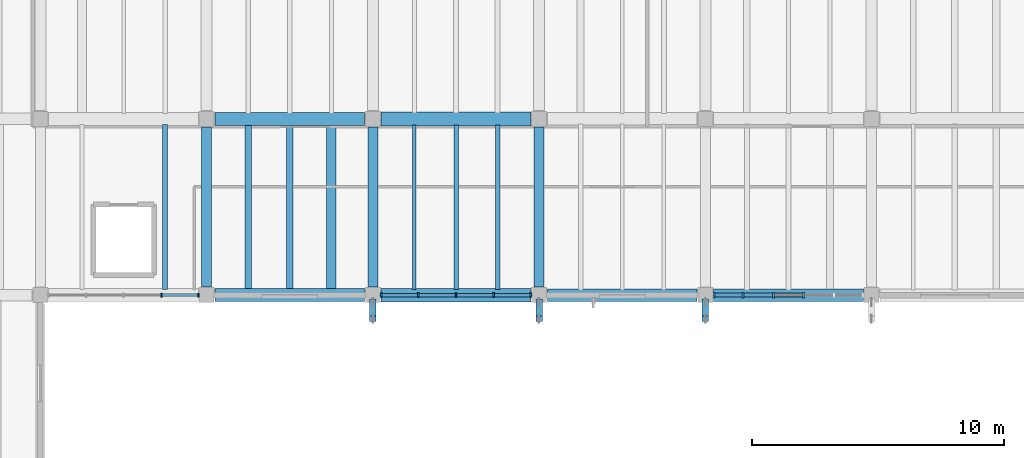
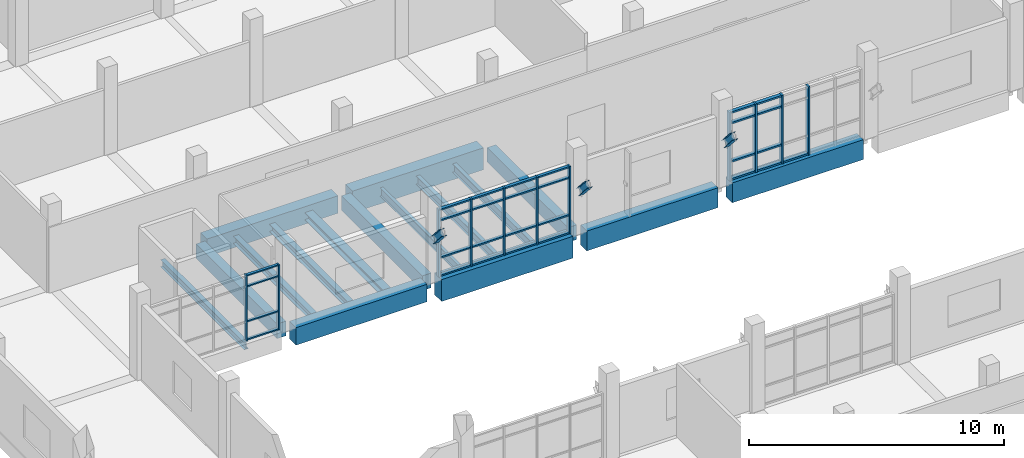
# One storey, part 24 of 68: 43 members, 16 beams, 3 elements without a shape of their own.
"""IFC4 building model written with IfcOpenShell, lengths in metres."""

import ifcopenshell
import ifcopenshell.guid

model = None  # the IFC model being written
_history = None  # IfcOwnerHistory: only IFC2X3 demands one
_inside = {}  # id of a spatial element -> (the spatial element, [elements in it])
_under = {}  # id of a project, library or spatial element -> (it, [spatial elements below it])
_declared = {}  # id of a project -> (the project, [libraries it declares])
_typed = {}  # id of a type object -> (the type object, [elements of that type])
_made_of = {}  # id of a material, layer set ... -> (it, [elements and type objects made of it])


def new_model(schema):
    """Start an empty IFC model of exactly this schema.

    Asked for "IFC4X3", IfcOpenShell would pick the latest addendum, in which some entities
    have other attributes; the version numbers below select the first issue.
    IFC2X3 requires an IfcOwnerHistory on every rooted entity: one is made here for all.
    """
    global model, _history
    if schema == "IFC4X3":
        model = ifcopenshell.file(schema_version=(4, 3, 0, 0))
    else:
        model = ifcopenshell.file(schema=schema)
    _inside.clear()
    _under.clear()
    _declared.clear()
    _typed.clear()
    _made_of.clear()
    _history = None
    if model.schema == "IFC2X3":
        org = make("IfcOrganization", Name="unknown")
        user = make(
            "IfcPersonAndOrganization",
            ThePerson=make("IfcPerson", FamilyName="unknown"),
            TheOrganization=org,
        )
        app = make(
            "IfcApplication",
            ApplicationDeveloper=org,
            Version="unknown",
            ApplicationFullName="unknown",
            ApplicationIdentifier="unknown",
        )
        _history = make(
            "IfcOwnerHistory",
            OwningUser=user,
            OwningApplication=app,
            ChangeAction="ADDED",
            CreationDate=0,
        )
    return model


def make(cls, **values):
    """One entity of the class cls with the attributes given. An attribute that is None is left unset."""
    return model.create_entity(
        cls, **{name: value for name, value in values.items() if value is not None}
    )


def rooted(cls, **values):
    """An entity with a GlobalId (a new one), such as an element, a storey or a relation."""
    return make(cls, GlobalId=ifcopenshell.guid.new(), OwnerHistory=_history, **values)


def si_unit(unit_type, name, prefix=None):
    """IfcSIUnit, for example si_unit("LENGTHUNIT", "METRE", prefix="MILLI")."""
    return make("IfcSIUnit", UnitType=unit_type, Prefix=prefix, Name=name)


def assignment(units):
    """IfcUnitAssignment: the units of a project."""
    return None if units is None else make("IfcUnitAssignment", Units=units)


def point(xyz):
    """IfcCartesianPoint."""
    return None if xyz is None else make("IfcCartesianPoint", Coordinates=xyz)


def direction(xyz):
    """IfcDirection."""
    return None if xyz is None else make("IfcDirection", DirectionRatios=xyz)


def frame(location, z_axis=None, x_axis=None):
    """IfcAxis2Placement3D, a coordinate frame: its origin and axes. An axis left out is left unset."""
    return make(
        "IfcAxis2Placement3D",
        Location=point(location),
        Axis=direction(z_axis),
        RefDirection=direction(x_axis),
    )


def frame_2d(location, x_axis=None):
    """IfcAxis2Placement2D, a coordinate frame in the plane: its origin and x axis."""
    return make(
        "IfcAxis2Placement2D", Location=point(location), RefDirection=direction(x_axis)
    )


def origin():
    """The frame at (0, 0, 0) with its axes left unset."""
    return frame((0.0, 0.0, 0.0))


def origin_2d():
    """The frame at (0, 0) in the plane with its x axis left unset."""
    return frame_2d((0.0, 0.0))


def place(relative_to, where):
    """IfcLocalPlacement: puts the frame where relative to a parent placement (None: the world)."""
    return make(
        "IfcLocalPlacement", PlacementRelTo=relative_to, RelativePlacement=where
    )


def context(
    kind, dimensions, precision=None, world=None, true_north=None, identifier=None
):
    """IfcGeometricRepresentationContext, for example the 3D "Model" context."""
    return make(
        "IfcGeometricRepresentationContext",
        ContextIdentifier=identifier,
        ContextType=kind,
        CoordinateSpaceDimension=dimensions,
        Precision=precision,
        WorldCoordinateSystem=world,
        TrueNorth=true_north,
    )


def subcontext(parent, identifier, kind, view, scale=None):
    """IfcGeometricRepresentationSubContext, for example "Body" below "Model"."""
    return make(
        "IfcGeometricRepresentationSubContext",
        ContextIdentifier=identifier,
        ContextType=kind,
        ParentContext=parent,
        TargetScale=scale,
        TargetView=view,
    )


def project(units=None, contexts=None):
    """IfcProject with its units and contexts."""
    return rooted(
        "IfcProject",
        Name="project",
        RepresentationContexts=contexts,
        UnitsInContext=assignment(units),
    )


def spatial(cls, under=None, at=None, **own):
    """A site, building, storey or space (cls), placed at a placement, below another one or the project."""
    s = rooted(cls, ObjectPlacement=at, **own)
    if under is not None:
        _under.setdefault(under.id(), (under, []))[1].append(s)
    return s


def profile(cls, at=None, kind="AREA", **sizes):
    """A parametric profile (cls). Its sizes go by their IFC names, for example OverallWidth=200.0."""
    return make(cls, ProfileType=kind, Position=at, **sizes)


def rectangle(**sizes):
    """IfcRectangleProfileDef."""
    return profile("IfcRectangleProfileDef", **sizes)


def i_section(**sizes):
    """IfcIShapeProfileDef."""
    return profile("IfcIShapeProfileDef", **sizes)


def extrude(swept, where, along, depth):
    """IfcExtrudedAreaSolid: the profile swept, set in the frame where, extruded along a direction by depth."""
    return make(
        "IfcExtrudedAreaSolid",
        SweptArea=swept,
        Position=where,
        ExtrudedDirection=direction(along),
        Depth=depth,
    )


def shape(context_of_items, identifier, shape_type, items):
    """IfcShapeRepresentation: the items that make up one representation, for example the "Body"."""
    return make(
        "IfcShapeRepresentation",
        ContextOfItems=context_of_items,
        RepresentationIdentifier=identifier,
        RepresentationType=shape_type,
        Items=items,
    )


def material(Name=None, Category=None):
    """IfcMaterial."""
    return make("IfcMaterial", Name=Name, Category=Category)


def material_profile(
    of_material, cross_section, Name=None, Category=None, Priority=None
):
    """IfcMaterialProfile: a cross section and its material."""
    return make(
        "IfcMaterialProfile",
        Name=Name,
        Material=of_material,
        Profile=cross_section,
        Priority=Priority,
        Category=Category,
    )


def profile_set(profiles, Name=None, composite=None):
    """IfcMaterialProfileSet."""
    return make(
        "IfcMaterialProfileSet",
        Name=Name,
        MaterialProfiles=profiles,
        CompositeProfile=composite,
    )


def made_of(thing, what):
    """Note that an element or type object is made of a material, layer set ...; save() writes the relation."""
    if what is not None:
        _made_of.setdefault(what.id(), (what, []))[1].append(thing)
    return thing


def type_object(cls, material=None, **own):
    """A type object (cls), such as IfcWallType, which elements share."""
    return made_of(rooted(cls, **own), material)


def element(
    cls,
    number,
    at=None,
    inside=None,
    cuts=None,
    type_object=None,
    material=None,
    context=None,
    identifier="Body",
    shape_type=None,
    held_by="IfcProductDefinitionShape",
    body=None,
    shapes=None,
    **own,
):
    """One element of the class cls, such as IfcWall. Its Tag is "e" and its number.

    at: its placement. inside: the storey or other place that contains it. cuts: it is an
    opening in that element (IfcRelVoidsElement). A single representation is given by context,
    identifier, shape_type and body (its items); several are given by shapes. held_by: the class
    of the entity that holds the representations. save() writes the other relations.
    """
    e = rooted(cls, Tag="e%d" % number, ObjectPlacement=at, **own)
    if body is not None:
        shapes = [shape(context, identifier, shape_type, body)]
    if shapes is not None:
        e.Representation = make(held_by, Representations=shapes)
    if inside is not None:
        _inside.setdefault(inside.id(), (inside, []))[1].append(e)
    if cuts is not None:
        rooted(
            "IfcRelVoidsElement", RelatingBuildingElement=cuts, RelatedOpeningElement=e
        )
    if type_object is not None:
        _typed.setdefault(type_object.id(), (type_object, []))[1].append(e)
    return made_of(e, material)


def aggregate(whole, parts):
    """IfcRelAggregates: a whole, such as a stair, and the parts it consists of."""
    return rooted("IfcRelAggregates", RelatingObject=whole, RelatedObjects=parts)


def save(model, path):
    """Write the relations noted so far, then the file.

    IfcRelAggregates (storeys below a building ...), IfcRelContainedInSpatialStructure (elements
    in a storey), IfcRelDefinesByType, IfcRelAssociatesMaterial and IfcRelDeclares: one each for
    every whole, place, type object, material and project.
    """
    for whole, parts in _under.values():
        aggregate(whole, parts)
    for where, things in _inside.values():
        rooted(
            "IfcRelContainedInSpatialStructure",
            RelatedElements=things,
            RelatingStructure=where,
        )
    for kind, things in _typed.values():
        rooted("IfcRelDefinesByType", RelatedObjects=things, RelatingType=kind)
    for what, things in _made_of.values():
        rooted("IfcRelAssociatesMaterial", RelatedObjects=things, RelatingMaterial=what)
    for by, libraries in _declared.values():
        rooted("IfcRelDeclares", RelatingContext=by, RelatedDefinitions=libraries)
    model.write(path)


model = new_model("IFC4")

# Units and contexts
model_context = context("Model", 3, precision=1e-05, world=origin(), true_north=direction((0.0, 1.0)))
body_context = subcontext(model_context, "Body", "Model", "MODEL_VIEW")
ifc_project = project(units=[si_unit("LENGTHUNIT", "METRE"), si_unit("AREAUNIT", "SQUARE_METRE"), si_unit("VOLUMEUNIT", "CUBIC_METRE"), si_unit("PLANEANGLEUNIT", "RADIAN"), si_unit("MASSUNIT", "GRAM", prefix="KILO")], contexts=[model_context])

# Site, building, storey
site_placement = place(None, origin())
site = spatial("IfcSite", under=ifc_project, at=site_placement, CompositionType="ELEMENT")
building_placement = place(site_placement, origin())
building = spatial("IfcBuilding", under=site, at=building_placement, Name="Ciguamira Faculty of Natural Sciences", CompositionType="ELEMENT")
storey_placement = place(building_placement, frame((0.0, 0.0, 4.199951171875)))
storey = spatial("IfcBuildingStorey", under=building, at=storey_placement, Name="L01", CompositionType="ELEMENT", Elevation=4.199951171875)

# Curtain wall, members
ifc_material_1 = material(Name="Anodized aluminium curtain wall", Category="aluminium")
curtain_wall_type_1 = type_object("IfcCurtainWallType", Name="CurtainWall_CW-04", PredefinedType="USERDEFINED", material=ifc_material_1)
curtain_wall_1_placement = place(storey_placement, origin())
curtain_wall_1 = element("IfcCurtainWall", 1, at=curtain_wall_1_placement, inside=storey, type_object=curtain_wall_type_1, Name="L01 unitised curtain wall 0040", ObjectType="UNITISED CURTAIN WALL", PredefinedType="USERDEFINED")
ifc_material_2 = material(Name="Anodized aluminium mullion", Category="aluminium")
ifc_material_profile_1 = material_profile(ifc_material_2, rectangle(XDim=0.06005859375, YDim=0.159912109375, at=origin_2d()), Name="ALU-MUL-60X160")
ifc_profile_set_1 = profile_set([ifc_material_profile_1], Name="Anodized aluminium mullion")
member_type_1 = type_object("IfcMemberType", Name="CWMullion_CWM-01", PredefinedType="MULLION", material=ifc_profile_set_1)
member_1_placement = place(storey_placement, frame((68.699951171875, 73.0, 0.0), z_axis=(0.0, 0.0, 1.0), x_axis=(1.0, 0.0, 0.0)))
member_1 = element("IfcMember", 2, at=member_1_placement, type_object=member_type_1, Name="CW-04 mullion 4", PredefinedType="MULLION", context=body_context, shape_type="SweptSolid", body=[
    extrude(rectangle(XDim=0.06005859375, YDim=0.159912109375, at=origin_2d()), origin(), (0.0, 0.0, 1.0), 3.135009765625),
])
member_2_placement = place(storey_placement, frame((70.169921875, 73.0, 0.0), z_axis=(0.0, 0.0, 1.0), x_axis=(1.0, 0.0, 0.0)))
member_2 = element("IfcMember", 3, at=member_2_placement, type_object=member_type_1, Name="CW-04 mullion 5", PredefinedType="MULLION", context=body_context, shape_type="SweptSolid", body=[
    extrude(rectangle(XDim=0.06005859375, YDim=0.159912109375, at=origin_2d()), origin(), (0.0, 0.0, 1.0), 3.135009765625),
])

curtain_wall_type_2 = type_object("IfcCurtainWallType", Name="CurtainWall_CW-05", PredefinedType="USERDEFINED", material=ifc_material_1)
curtain_wall_2_placement = place(storey_placement, origin())
curtain_wall_2 = element("IfcCurtainWall", 4, at=curtain_wall_2_placement, inside=storey, type_object=curtain_wall_type_2, Name="L01 unitised curtain wall 0041", ObjectType="UNITISED CURTAIN WALL", PredefinedType="USERDEFINED")
ifc_material_profile_2 = material_profile(ifc_material_2, rectangle(XDim=0.070068359375, YDim=0.179931640625, at=origin_2d()), Name="ALU-MUL-70X180")
ifc_profile_set_2 = profile_set([ifc_material_profile_2], Name="Anodized aluminium mullion")
member_type_2 = type_object("IfcMemberType", Name="CWMullion_CWM-02", PredefinedType="MULLION", material=ifc_profile_set_2)
member_3_placement = place(storey_placement, frame((77.43505859375, 73.0, 0.0), z_axis=(0.0, 0.0, 1.0), x_axis=(1.0, 0.0, 0.0)))
member_3 = element("IfcMember", 5, at=member_3_placement, type_object=member_type_2, Name="CW-05 mullion 1", PredefinedType="MULLION", context=body_context, shape_type="SweptSolid", body=[
    extrude(rectangle(XDim=0.070068359375, YDim=0.179931640625, at=origin_2d()), origin(), (0.0, 0.0, 1.0), 3.235107421875),
])
member_4_placement = place(storey_placement, frame((78.89990234375, 73.0, 0.0), z_axis=(0.0, 0.0, 1.0), x_axis=(1.0, 0.0, 0.0)))
member_4 = element("IfcMember", 6, at=member_4_placement, type_object=member_type_2, Name="CW-05 mullion 2", PredefinedType="MULLION", context=body_context, shape_type="SweptSolid", body=[
    extrude(rectangle(XDim=0.070068359375, YDim=0.179931640625, at=origin_2d()), origin(), (0.0, 0.0, 1.0), 3.235107421875),
])
member_5_placement = place(storey_placement, frame((80.39990234375, 73.0, 0.0), z_axis=(0.0, 0.0, 1.0), x_axis=(1.0, 0.0, 0.0)))
member_5 = element("IfcMember", 7, at=member_5_placement, type_object=member_type_2, Name="CW-05 mullion 3", PredefinedType="MULLION", context=body_context, shape_type="SweptSolid", body=[
    extrude(rectangle(XDim=0.070068359375, YDim=0.179931640625, at=origin_2d()), origin(), (0.0, 0.0, 1.0), 3.235107421875),
])
member_6_placement = place(storey_placement, frame((81.89990234375, 73.0, 0.0), z_axis=(0.0, 0.0, 1.0), x_axis=(1.0, 0.0, 0.0)))
member_6 = element("IfcMember", 8, at=member_6_placement, type_object=member_type_2, Name="CW-05 mullion 4", PredefinedType="MULLION", context=body_context, shape_type="SweptSolid", body=[
    extrude(rectangle(XDim=0.070068359375, YDim=0.179931640625, at=origin_2d()), origin(), (0.0, 0.0, 1.0), 3.235107421875),
])
member_7_placement = place(storey_placement, frame((83.364990234375, 73.0, 0.0), z_axis=(0.0, 0.0, 1.0), x_axis=(1.0, 0.0, 0.0)))
member_7 = element("IfcMember", 9, at=member_7_placement, type_object=member_type_2, Name="CW-05 mullion 5", PredefinedType="MULLION", context=body_context, shape_type="SweptSolid", body=[
    extrude(rectangle(XDim=0.070068359375, YDim=0.179931640625, at=origin_2d()), origin(), (0.0, 0.0, 1.0), 3.235107421875),
])

curtain_wall_type_3 = type_object("IfcCurtainWallType", Name="CurtainWall_CW-06", PredefinedType="USERDEFINED", material=ifc_material_1)
curtain_wall_3_placement = place(storey_placement, origin())
curtain_wall_3 = element("IfcCurtainWall", 10, at=curtain_wall_3_placement, inside=storey, type_object=curtain_wall_type_3, Name="L01 unitised curtain wall 0042", ObjectType="UNITISED CURTAIN WALL", PredefinedType="USERDEFINED")
ifc_material_profile_3 = material_profile(ifc_material_2, rectangle(XDim=0.080078125, YDim=0.219970703125, at=origin_2d()), Name="ALU-MUL-80X220")
ifc_profile_set_3 = profile_set([ifc_material_profile_3], Name="Anodized aluminium mullion")
member_type_3 = type_object("IfcMemberType", Name="CWMullion_CWM-03", PredefinedType="MULLION", material=ifc_profile_set_3)
member_8_placement = place(storey_placement, frame((90.639892578125, 73.0, 0.0), z_axis=(0.0, 0.0, 1.0), x_axis=(1.0, 0.0, 0.0)))
member_8 = element("IfcMember", 11, at=member_8_placement, type_object=member_type_3, Name="CW-06 mullion 1", PredefinedType="MULLION", context=body_context, shape_type="SweptSolid", body=[
    extrude(rectangle(XDim=0.080078125, YDim=0.219970703125, at=origin_2d()), origin(), (0.0, 0.0, 1.0), 3.28515625),
])
member_9_placement = place(storey_placement, frame((91.800048828125, 73.0, 0.0), z_axis=(0.0, 0.0, 1.0), x_axis=(1.0, 0.0, 0.0)))
member_9 = element("IfcMember", 12, at=member_9_placement, type_object=member_type_3, Name="CW-06 mullion 2", PredefinedType="MULLION", context=body_context, shape_type="SweptSolid", body=[
    extrude(rectangle(XDim=0.080078125, YDim=0.219970703125, at=origin_2d()), origin(), (0.0, 0.0, 1.0), 3.28515625),
])
member_10_placement = place(storey_placement, frame((93.0, 73.0, 0.0), z_axis=(0.0, 0.0, 1.0), x_axis=(1.0, 0.0, 0.0)))
member_10 = element("IfcMember", 13, at=member_10_placement, type_object=member_type_3, Name="CW-06 mullion 3", PredefinedType="MULLION", context=body_context, shape_type="SweptSolid", body=[
    extrude(rectangle(XDim=0.080078125, YDim=0.219970703125, at=origin_2d()), origin(), (0.0, 0.0, 1.0), 3.28515625),
])
member_11_placement = place(storey_placement, frame((94.199951171875, 73.0, 0.0), z_axis=(0.0, 0.0, 1.0), x_axis=(1.0, 0.0, 0.0)))
member_11 = element("IfcMember", 14, at=member_11_placement, type_object=member_type_3, Name="CW-06 mullion 4", PredefinedType="MULLION", context=body_context, shape_type="SweptSolid", body=[
    extrude(rectangle(XDim=0.080078125, YDim=0.219970703125, at=origin_2d()), origin(), (0.0, 0.0, 1.0), 3.28515625),
])

# Member
ifc_material_3 = material(Name="Anodized aluminium transom", Category="aluminium")
ifc_material_profile_4 = material_profile(ifc_material_3, rectangle(XDim=0.06005859375, YDim=0.1201171875, at=origin_2d()), Name="ALU-TRN-60X120")
ifc_profile_set_4 = profile_set([ifc_material_profile_4], Name="Anodized aluminium transom")
member_type_4 = type_object("IfcMemberType", Name="CWTransom_CWT-01", PredefinedType="USERDEFINED", material=ifc_profile_set_4)
member_12_placement = place(storey_placement, frame((68.72998046875, 73.0, 0.030029296875), z_axis=(1.0, 0.0, 0.0), x_axis=(0.0, 0.0, 1.0)))
member_12 = element("IfcMember", 15, at=member_12_placement, type_object=member_type_4, Name="CW-04 transom 4.1", ObjectType="TRANSOM", PredefinedType="USERDEFINED", context=body_context, shape_type="SweptSolid", body=[
    extrude(rectangle(XDim=0.06005859375, YDim=0.1201171875, at=origin_2d()), origin(), (0.0, 0.0, 1.0), 1.409912109375),
])

member_13_placement = place(storey_placement, frame((68.72998046875, 73.0, 0.900146484375), z_axis=(1.0, 0.0, 0.0), x_axis=(0.0, 0.0, 1.0)))
member_13 = element("IfcMember", 16, at=member_13_placement, type_object=member_type_4, Name="CW-04 transom 4.2", ObjectType="TRANSOM", PredefinedType="USERDEFINED", context=body_context, shape_type="SweptSolid", body=[
    extrude(rectangle(XDim=0.06005859375, YDim=0.1201171875, at=origin_2d()), origin(), (0.0, 0.0, 1.0), 1.409912109375),
])

member_14_placement = place(storey_placement, frame((68.72998046875, 73.0, 2.5849609375), z_axis=(1.0, 0.0, 0.0), x_axis=(0.0, 0.0, 1.0)))
member_14 = element("IfcMember", 17, at=member_14_placement, type_object=member_type_4, Name="CW-04 transom 4.3", ObjectType="TRANSOM", PredefinedType="USERDEFINED", context=body_context, shape_type="SweptSolid", body=[
    extrude(rectangle(XDim=0.06005859375, YDim=0.1201171875, at=origin_2d()), origin(), (0.0, 0.0, 1.0), 1.409912109375),
])

member_15_placement = place(storey_placement, frame((68.72998046875, 73.0, 3.10498046875), z_axis=(1.0, 0.0, 0.0), x_axis=(0.0, 0.0, 1.0)))
member_15 = element("IfcMember", 18, at=member_15_placement, type_object=member_type_4, Name="CW-04 transom 4.4", ObjectType="TRANSOM", PredefinedType="USERDEFINED", context=body_context, shape_type="SweptSolid", body=[
    extrude(rectangle(XDim=0.06005859375, YDim=0.1201171875, at=origin_2d()), origin(), (0.0, 0.0, 1.0), 1.409912109375),
])

aggregate(curtain_wall_1, [member_1, member_2, member_12, member_13, member_14, member_15])

ifc_material_profile_5 = material_profile(ifc_material_3, rectangle(XDim=0.070068359375, YDim=0.139892578125, at=origin_2d()), Name="ALU-TRN-70X140")
ifc_profile_set_5 = profile_set([ifc_material_profile_5], Name="Anodized aluminium transom")
member_type_5 = type_object("IfcMemberType", Name="CWTransom_CWT-02", PredefinedType="USERDEFINED", material=ifc_profile_set_5)
member_16_placement = place(storey_placement, frame((77.469970703125, 73.0, 0.03515625), z_axis=(1.0, 0.0, 0.0), x_axis=(0.0, 0.0, 1.0)))
member_16 = element("IfcMember", 19, at=member_16_placement, type_object=member_type_5, Name="CW-05 transom 1.1", ObjectType="TRANSOM", PredefinedType="USERDEFINED", context=body_context, shape_type="SweptSolid", body=[
    extrude(rectangle(XDim=0.070068359375, YDim=0.139892578125, at=origin_2d()), origin(), (0.0, 0.0, 1.0), 1.39501953125),
])

member_17_placement = place(storey_placement, frame((77.469970703125, 73.0, 0.900146484375), z_axis=(1.0, 0.0, 0.0), x_axis=(0.0, 0.0, 1.0)))
member_17 = element("IfcMember", 20, at=member_17_placement, type_object=member_type_5, Name="CW-05 transom 1.2", ObjectType="TRANSOM", PredefinedType="USERDEFINED", context=body_context, shape_type="SweptSolid", body=[
    extrude(rectangle(XDim=0.070068359375, YDim=0.139892578125, at=origin_2d()), origin(), (0.0, 0.0, 1.0), 1.39501953125),
])

member_18_placement = place(storey_placement, frame((77.469970703125, 73.0, 2.68505859375), z_axis=(1.0, 0.0, 0.0), x_axis=(0.0, 0.0, 1.0)))
member_18 = element("IfcMember", 21, at=member_18_placement, type_object=member_type_5, Name="CW-05 transom 1.3", ObjectType="TRANSOM", PredefinedType="USERDEFINED", context=body_context, shape_type="SweptSolid", body=[
    extrude(rectangle(XDim=0.070068359375, YDim=0.139892578125, at=origin_2d()), origin(), (0.0, 0.0, 1.0), 1.39501953125),
])

member_19_placement = place(storey_placement, frame((77.469970703125, 73.0, 3.199951171875), z_axis=(1.0, 0.0, 0.0), x_axis=(0.0, 0.0, 1.0)))
member_19 = element("IfcMember", 22, at=member_19_placement, type_object=member_type_5, Name="CW-05 transom 1.4", ObjectType="TRANSOM", PredefinedType="USERDEFINED", context=body_context, shape_type="SweptSolid", body=[
    extrude(rectangle(XDim=0.070068359375, YDim=0.139892578125, at=origin_2d()), origin(), (0.0, 0.0, 1.0), 1.39501953125),
])

member_20_placement = place(storey_placement, frame((78.93505859375, 73.0, 0.03515625), z_axis=(1.0, 0.0, 0.0), x_axis=(0.0, 0.0, 1.0)))
member_20 = element("IfcMember", 23, at=member_20_placement, type_object=member_type_5, Name="CW-05 transom 2.1", ObjectType="TRANSOM", PredefinedType="USERDEFINED", context=body_context, shape_type="SweptSolid", body=[
    extrude(rectangle(XDim=0.070068359375, YDim=0.139892578125, at=origin_2d()), origin(), (0.0, 0.0, 1.0), 1.429931640625),
])

member_21_placement = place(storey_placement, frame((78.93505859375, 73.0, 0.900146484375), z_axis=(1.0, 0.0, 0.0), x_axis=(0.0, 0.0, 1.0)))
member_21 = element("IfcMember", 24, at=member_21_placement, type_object=member_type_5, Name="CW-05 transom 2.2", ObjectType="TRANSOM", PredefinedType="USERDEFINED", context=body_context, shape_type="SweptSolid", body=[
    extrude(rectangle(XDim=0.070068359375, YDim=0.139892578125, at=origin_2d()), origin(), (0.0, 0.0, 1.0), 1.429931640625),
])

member_22_placement = place(storey_placement, frame((78.93505859375, 73.0, 2.68505859375), z_axis=(1.0, 0.0, 0.0), x_axis=(0.0, 0.0, 1.0)))
member_22 = element("IfcMember", 25, at=member_22_placement, type_object=member_type_5, Name="CW-05 transom 2.3", ObjectType="TRANSOM", PredefinedType="USERDEFINED", context=body_context, shape_type="SweptSolid", body=[
    extrude(rectangle(XDim=0.070068359375, YDim=0.139892578125, at=origin_2d()), origin(), (0.0, 0.0, 1.0), 1.429931640625),
])

member_23_placement = place(storey_placement, frame((78.93505859375, 73.0, 3.199951171875), z_axis=(1.0, 0.0, 0.0), x_axis=(0.0, 0.0, 1.0)))
member_23 = element("IfcMember", 26, at=member_23_placement, type_object=member_type_5, Name="CW-05 transom 2.4", ObjectType="TRANSOM", PredefinedType="USERDEFINED", context=body_context, shape_type="SweptSolid", body=[
    extrude(rectangle(XDim=0.070068359375, YDim=0.139892578125, at=origin_2d()), origin(), (0.0, 0.0, 1.0), 1.429931640625),
])

member_24_placement = place(storey_placement, frame((80.43505859375, 73.0, 0.03515625), z_axis=(1.0, 0.0, 0.0), x_axis=(0.0, 0.0, 1.0)))
member_24 = element("IfcMember", 27, at=member_24_placement, type_object=member_type_5, Name="CW-05 transom 3.1", ObjectType="TRANSOM", PredefinedType="USERDEFINED", context=body_context, shape_type="SweptSolid", body=[
    extrude(rectangle(XDim=0.070068359375, YDim=0.139892578125, at=origin_2d()), origin(), (0.0, 0.0, 1.0), 1.429931640625),
])

member_25_placement = place(storey_placement, frame((80.43505859375, 73.0, 0.900146484375), z_axis=(1.0, 0.0, 0.0), x_axis=(0.0, 0.0, 1.0)))
member_25 = element("IfcMember", 28, at=member_25_placement, type_object=member_type_5, Name="CW-05 transom 3.2", ObjectType="TRANSOM", PredefinedType="USERDEFINED", context=body_context, shape_type="SweptSolid", body=[
    extrude(rectangle(XDim=0.070068359375, YDim=0.139892578125, at=origin_2d()), origin(), (0.0, 0.0, 1.0), 1.429931640625),
])

member_26_placement = place(storey_placement, frame((80.43505859375, 73.0, 2.68505859375), z_axis=(1.0, 0.0, 0.0), x_axis=(0.0, 0.0, 1.0)))
member_26 = element("IfcMember", 29, at=member_26_placement, type_object=member_type_5, Name="CW-05 transom 3.3", ObjectType="TRANSOM", PredefinedType="USERDEFINED", context=body_context, shape_type="SweptSolid", body=[
    extrude(rectangle(XDim=0.070068359375, YDim=0.139892578125, at=origin_2d()), origin(), (0.0, 0.0, 1.0), 1.429931640625),
])

member_27_placement = place(storey_placement, frame((80.43505859375, 73.0, 3.199951171875), z_axis=(1.0, 0.0, 0.0), x_axis=(0.0, 0.0, 1.0)))
member_27 = element("IfcMember", 30, at=member_27_placement, type_object=member_type_5, Name="CW-05 transom 3.4", ObjectType="TRANSOM", PredefinedType="USERDEFINED", context=body_context, shape_type="SweptSolid", body=[
    extrude(rectangle(XDim=0.070068359375, YDim=0.139892578125, at=origin_2d()), origin(), (0.0, 0.0, 1.0), 1.429931640625),
])

member_28_placement = place(storey_placement, frame((81.93505859375, 73.0, 0.03515625), z_axis=(1.0, 0.0, 0.0), x_axis=(0.0, 0.0, 1.0)))
member_28 = element("IfcMember", 31, at=member_28_placement, type_object=member_type_5, Name="CW-05 transom 4.1", ObjectType="TRANSOM", PredefinedType="USERDEFINED", context=body_context, shape_type="SweptSolid", body=[
    extrude(rectangle(XDim=0.070068359375, YDim=0.139892578125, at=origin_2d()), origin(), (0.0, 0.0, 1.0), 1.39501953125),
])

member_29_placement = place(storey_placement, frame((81.93505859375, 73.0, 0.900146484375), z_axis=(1.0, 0.0, 0.0), x_axis=(0.0, 0.0, 1.0)))
member_29 = element("IfcMember", 32, at=member_29_placement, type_object=member_type_5, Name="CW-05 transom 4.2", ObjectType="TRANSOM", PredefinedType="USERDEFINED", context=body_context, shape_type="SweptSolid", body=[
    extrude(rectangle(XDim=0.070068359375, YDim=0.139892578125, at=origin_2d()), origin(), (0.0, 0.0, 1.0), 1.39501953125),
])

member_30_placement = place(storey_placement, frame((81.93505859375, 73.0, 2.68505859375), z_axis=(1.0, 0.0, 0.0), x_axis=(0.0, 0.0, 1.0)))
member_30 = element("IfcMember", 33, at=member_30_placement, type_object=member_type_5, Name="CW-05 transom 4.3", ObjectType="TRANSOM", PredefinedType="USERDEFINED", context=body_context, shape_type="SweptSolid", body=[
    extrude(rectangle(XDim=0.070068359375, YDim=0.139892578125, at=origin_2d()), origin(), (0.0, 0.0, 1.0), 1.39501953125),
])

member_31_placement = place(storey_placement, frame((81.93505859375, 73.0, 3.199951171875), z_axis=(1.0, 0.0, 0.0), x_axis=(0.0, 0.0, 1.0)))
member_31 = element("IfcMember", 34, at=member_31_placement, type_object=member_type_5, Name="CW-05 transom 4.4", ObjectType="TRANSOM", PredefinedType="USERDEFINED", context=body_context, shape_type="SweptSolid", body=[
    extrude(rectangle(XDim=0.070068359375, YDim=0.139892578125, at=origin_2d()), origin(), (0.0, 0.0, 1.0), 1.39501953125),
])

aggregate(curtain_wall_2, [member_3, member_4, member_5, member_6, member_7, member_16, member_17, member_18, member_19, member_20, member_21, member_22, member_23, member_24, member_25, member_26, member_27, member_28, member_29, member_30, member_31])

ifc_material_profile_6 = material_profile(ifc_material_3, rectangle(XDim=0.080078125, YDim=0.159912109375, at=origin_2d()), Name="ALU-TRN-80X160")
ifc_profile_set_6 = profile_set([ifc_material_profile_6], Name="Anodized aluminium transom")
member_type_6 = type_object("IfcMemberType", Name="CWTransom_CWT-03", PredefinedType="USERDEFINED", material=ifc_profile_set_6)
member_32_placement = place(storey_placement, frame((90.679931640625, 73.0, 0.0400390625), z_axis=(1.0, 0.0, 0.0), x_axis=(0.0, 0.0, 1.0)))
member_32 = element("IfcMember", 35, at=member_32_placement, type_object=member_type_6, Name="CW-06 transom 1.1", ObjectType="TRANSOM", PredefinedType="USERDEFINED", context=body_context, shape_type="SweptSolid", body=[
    extrude(rectangle(XDim=0.080078125, YDim=0.159912109375, at=origin_2d()), origin(), (0.0, 0.0, 1.0), 1.080078125),
])

member_33_placement = place(storey_placement, frame((90.679931640625, 73.0, 0.900146484375), z_axis=(1.0, 0.0, 0.0), x_axis=(0.0, 0.0, 1.0)))
member_33 = element("IfcMember", 36, at=member_33_placement, type_object=member_type_6, Name="CW-06 transom 1.2", ObjectType="TRANSOM", PredefinedType="USERDEFINED", context=body_context, shape_type="SweptSolid", body=[
    extrude(rectangle(XDim=0.080078125, YDim=0.159912109375, at=origin_2d()), origin(), (0.0, 0.0, 1.0), 1.080078125),
])

member_34_placement = place(storey_placement, frame((90.679931640625, 73.0, 2.735107421875), z_axis=(1.0, 0.0, 0.0), x_axis=(0.0, 0.0, 1.0)))
member_34 = element("IfcMember", 37, at=member_34_placement, type_object=member_type_6, Name="CW-06 transom 1.3", ObjectType="TRANSOM", PredefinedType="USERDEFINED", context=body_context, shape_type="SweptSolid", body=[
    extrude(rectangle(XDim=0.080078125, YDim=0.159912109375, at=origin_2d()), origin(), (0.0, 0.0, 1.0), 1.080078125),
])

member_35_placement = place(storey_placement, frame((90.679931640625, 73.0, 3.2451171875), z_axis=(1.0, 0.0, 0.0), x_axis=(0.0, 0.0, 1.0)))
member_35 = element("IfcMember", 38, at=member_35_placement, type_object=member_type_6, Name="CW-06 transom 1.4", ObjectType="TRANSOM", PredefinedType="USERDEFINED", context=body_context, shape_type="SweptSolid", body=[
    extrude(rectangle(XDim=0.080078125, YDim=0.159912109375, at=origin_2d()), origin(), (0.0, 0.0, 1.0), 1.080078125),
])

member_36_placement = place(storey_placement, frame((91.840087890625, 73.0, 0.0400390625), z_axis=(1.0, 0.0, 0.0), x_axis=(0.0, 0.0, 1.0)))
member_36 = element("IfcMember", 39, at=member_36_placement, type_object=member_type_6, Name="CW-06 transom 2.1", ObjectType="TRANSOM", PredefinedType="USERDEFINED", context=body_context, shape_type="SweptSolid", body=[
    extrude(rectangle(XDim=0.080078125, YDim=0.159912109375, at=origin_2d()), origin(), (0.0, 0.0, 1.0), 1.119873046875),
])

member_37_placement = place(storey_placement, frame((91.840087890625, 73.0, 0.900146484375), z_axis=(1.0, 0.0, 0.0), x_axis=(0.0, 0.0, 1.0)))
member_37 = element("IfcMember", 40, at=member_37_placement, type_object=member_type_6, Name="CW-06 transom 2.2", ObjectType="TRANSOM", PredefinedType="USERDEFINED", context=body_context, shape_type="SweptSolid", body=[
    extrude(rectangle(XDim=0.080078125, YDim=0.159912109375, at=origin_2d()), origin(), (0.0, 0.0, 1.0), 1.119873046875),
])

member_38_placement = place(storey_placement, frame((91.840087890625, 73.0, 2.735107421875), z_axis=(1.0, 0.0, 0.0), x_axis=(0.0, 0.0, 1.0)))
member_38 = element("IfcMember", 41, at=member_38_placement, type_object=member_type_6, Name="CW-06 transom 2.3", ObjectType="TRANSOM", PredefinedType="USERDEFINED", context=body_context, shape_type="SweptSolid", body=[
    extrude(rectangle(XDim=0.080078125, YDim=0.159912109375, at=origin_2d()), origin(), (0.0, 0.0, 1.0), 1.119873046875),
])

member_39_placement = place(storey_placement, frame((91.840087890625, 73.0, 3.2451171875), z_axis=(1.0, 0.0, 0.0), x_axis=(0.0, 0.0, 1.0)))
member_39 = element("IfcMember", 42, at=member_39_placement, type_object=member_type_6, Name="CW-06 transom 2.4", ObjectType="TRANSOM", PredefinedType="USERDEFINED", context=body_context, shape_type="SweptSolid", body=[
    extrude(rectangle(XDim=0.080078125, YDim=0.159912109375, at=origin_2d()), origin(), (0.0, 0.0, 1.0), 1.119873046875),
])

member_40_placement = place(storey_placement, frame((93.0400390625, 73.0, 0.0400390625), z_axis=(1.0, 0.0, 0.0), x_axis=(0.0, 0.0, 1.0)))
member_40 = element("IfcMember", 43, at=member_40_placement, type_object=member_type_6, Name="CW-06 transom 3.1", ObjectType="TRANSOM", PredefinedType="USERDEFINED", context=body_context, shape_type="SweptSolid", body=[
    extrude(rectangle(XDim=0.080078125, YDim=0.159912109375, at=origin_2d()), origin(), (0.0, 0.0, 1.0), 1.119873046875),
])

aggregate(curtain_wall_3, [member_8, member_9, member_10, member_11, member_32, member_33, member_34, member_35, member_36, member_37, member_38, member_39, member_40])

# Beams
ifc_material_4 = material(Name="Concrete C40/50", Category="concrete")
ifc_material_profile_7 = material_profile(ifc_material_4, rectangle(XDim=0.550048828125, YDim=1.050048828125, at=origin_2d()), Name="RC-BM-550X1050")
ifc_profile_set_7 = profile_set([ifc_material_profile_7], Name="Concrete C40/50")
beam_type_1 = type_object("IfcBeamType", Name="RCBeam_BG-01_RC-BM-550X1050", PredefinedType="BEAM", material=ifc_profile_set_7)
for number, where, z_axis, x_axis, name in (
    (44, (77.425048828125, 73.0, -0.52490234375), (1.0, 0.0, 0.0), (0.0, 1.0, 0.0), "L01 RC girder EW-0489"),
    (45, (77.425048828125, 80.0, -0.52490234375), (1.0, 0.0, 0.0), (0.0, 1.0, 0.0), "L01 RC girder EW-0498"),
):
    element("IfcBeam", number, at=place(storey_placement, frame(where, z_axis=z_axis, x_axis=x_axis)), inside=storey, type_object=beam_type_1, Name=name, PredefinedType="BEAM", context=body_context, shape_type="SweptSolid", body=[
        extrude(rectangle(XDim=0.550048828125, YDim=1.050048828125, at=origin_2d()), origin(), (0.0, 0.0, 1.0), 5.949951171875),
    ])
ifc_material_profile_8 = material_profile(ifc_material_4, rectangle(XDim=0.5, YDim=0.949951171875, at=origin_2d()), Name="RC-BM-500X950")
ifc_profile_set_8 = profile_set([ifc_material_profile_8], Name="Concrete C40/50")
beam_type_2 = type_object("IfcBeamType", Name="RCBeam_BG-02_RC-BM-500X950", PredefinedType="BEAM", material=ifc_profile_set_8)
beam_1_placement = place(storey_placement, frame((84.02490234375, 73.0, -0.474853515625), z_axis=(1.0, 0.0, 0.0), x_axis=(0.0, 1.0, 0.0)))
element("IfcBeam", 46, at=beam_1_placement, inside=storey, type_object=beam_type_2, Name="L01 RC girder EW-0490", PredefinedType="BEAM", context=body_context, shape_type="SweptSolid", body=[
    extrude(rectangle(XDim=0.5, YDim=0.949951171875, at=origin_2d()), origin(), (0.0, 0.0, 1.0), 5.9501953125),
])
beam_2_placement = place(storey_placement, frame((90.625, 73.0, -0.474853515625), z_axis=(1.0, 0.0, 0.0), x_axis=(0.0, 1.0, 0.0)))
element("IfcBeam", 47, at=beam_2_placement, inside=storey, type_object=beam_type_2, Name="L01 RC girder EW-0491", PredefinedType="BEAM", context=body_context, shape_type="SweptSolid", body=[
    extrude(rectangle(XDim=0.5, YDim=0.949951171875, at=origin_2d()), origin(), (0.0, 0.0, 1.0), 5.949951171875),
])
ifc_material_profile_9 = material_profile(ifc_material_4, rectangle(XDim=0.39990234375, YDim=0.699951171875, at=origin_2d()), Name="RC-BM-400X700")
ifc_profile_set_9 = profile_set([ifc_material_profile_9], Name="Concrete C40/50")
beam_type_3 = type_object("IfcBeamType", Name="RCBeam_BG-08_RC-BM-400X700", PredefinedType="BEAM", material=ifc_profile_set_9)
for number, where, z_axis, x_axis, name in (
    (48, (70.5, 73.324951171875, -0.349853515625), (0.0, 1.0, 0.0), (-1.0, 0.0, 0.0), "L01 girder NS-0602"),
    (49, (77.10009765625, 73.324951171875, -0.349853515625), (0.0, 1.0, 0.0), (-1.0, 0.0, 0.0), "L01 girder NS-0613"),
    (50, (83.699951171875, 73.324951171875, -0.349853515625), (0.0, 1.0, 0.0), (-1.0, 0.0, 0.0), "L01 girder NS-0624"),
):
    element("IfcBeam", number, at=place(storey_placement, frame(where, z_axis=z_axis, x_axis=x_axis)), inside=storey, type_object=beam_type_3, Name=name, PredefinedType="BEAM", context=body_context, shape_type="SweptSolid", body=[
        extrude(rectangle(XDim=0.39990234375, YDim=0.699951171875, at=origin_2d()), origin(), (0.0, 0.0, 1.0), 6.35009765625),
    ])
ifc_material_profile_10 = material_profile(ifc_material_4, rectangle(XDim=0.52001953125, YDim=0.840087890625, at=origin_2d()), Name="RC-TB-520X840")
ifc_profile_set_10 = profile_set([ifc_material_profile_10], Name="Concrete C40/50")
beam_type_4 = type_object("IfcBeamType", Name="RCBeam_TB-02_RC-TB-520X840", PredefinedType="T_BEAM", material=ifc_profile_set_10)
for number, where, z_axis, x_axis, name in (
    (51, (70.824951171875, 73.0, -0.419921875), (1.0, 0.0, 0.0), (0.0, 1.0, 0.0), "L01 RC girder EW-0488"),
    (52, (70.824951171875, 80.0, -0.419921875), (1.0, 0.0, 0.0), (0.0, 1.0, 0.0), "L01 RC girder EW-0497"),
):
    element("IfcBeam", number, at=place(storey_placement, frame(where, z_axis=z_axis, x_axis=x_axis)), inside=storey, type_object=beam_type_4, Name=name, PredefinedType="T_BEAM", context=body_context, shape_type="SweptSolid", body=[
        extrude(rectangle(XDim=0.52001953125, YDim=0.840087890625, at=origin_2d()), origin(), (0.0, 0.0, 1.0), 5.949951171875),
    ])
ifc_material_5 = material(Name="Steel ASTM A992 Grade 50", Category="steel")
ifc_material_profile_11 = material_profile(ifc_material_5, i_section(OverallWidth=0.204833984375, OverallDepth=0.35302734375, WebThickness=0.00927734375, FlangeThickness=0.016845703125, at=origin_2d()), Name="W14X53")
ifc_profile_set_11 = profile_set([ifc_material_profile_11], Name="Steel ASTM A992 Grade 50")
beam_type_5 = type_object("IfcBeamType", Name="SteelJoist_SJ-13_W14X53", PredefinedType="JOIST", material=ifc_profile_set_11)
beam_3_placement = place(storey_placement, frame((68.85009765625, 73.219970703125, -0.45654296875), z_axis=(0.0, 1.0, 0.0), x_axis=(-1.0, 0.0, 0.0)))
element("IfcBeam", 53, at=beam_3_placement, inside=storey, type_object=beam_type_5, Name="L01 composite steel joist 00430", PredefinedType="JOIST", context=body_context, shape_type="SweptSolid", body=[
    extrude(i_section(OverallWidth=0.204833984375, OverallDepth=0.35302734375, WebThickness=0.00927734375, FlangeThickness=0.016845703125, at=origin_2d()), origin(), (0.0, 0.0, 1.0), 6.56005859375),
])
ifc_material_profile_12 = material_profile(ifc_material_5, i_section(OverallWidth=0.25390625, OverallDepth=0.355712890625, WebThickness=0.010498046875, FlangeThickness=0.018310546875, at=origin_2d()), Name="W14X68")
ifc_profile_set_12 = profile_set([ifc_material_profile_12], Name="Steel ASTM A992 Grade 50")
beam_type_6 = type_object("IfcBeamType", Name="SteelJoist_SJ-14_W14X68", PredefinedType="JOIST", material=ifc_profile_set_12)
beam_4_placement = place(storey_placement, frame((72.14990234375, 73.219970703125, -0.457763671875), z_axis=(0.0, 1.0, 0.0), x_axis=(-1.0, 0.0, 0.0)))
element("IfcBeam", 54, at=beam_4_placement, inside=storey, type_object=beam_type_6, Name="L01 composite steel joist 00455", PredefinedType="JOIST", context=body_context, shape_type="SweptSolid", body=[
    extrude(i_section(OverallWidth=0.25390625, OverallDepth=0.355712890625, WebThickness=0.010498046875, FlangeThickness=0.018310546875, at=origin_2d()), origin(), (0.0, 0.0, 1.0), 6.56005859375),
])
ifc_material_profile_13 = material_profile(ifc_material_5, i_section(OverallWidth=0.256591796875, OverallDepth=0.36328125, WebThickness=0.012939453125, FlangeThickness=0.021728515625, at=origin_2d()), Name="W14X82")
ifc_profile_set_13 = profile_set([ifc_material_profile_13], Name="Steel ASTM A992 Grade 50")
beam_type_7 = type_object("IfcBeamType", Name="SteelJoist_SJ-15_W14X82", PredefinedType="JOIST", material=ifc_profile_set_13)
beam_5_placement = place(storey_placement, frame((73.800048828125, 73.219970703125, -0.461669921875), z_axis=(0.0, 1.0, 0.0), x_axis=(-1.0, 0.0, 0.0)))
element("IfcBeam", 55, at=beam_5_placement, inside=storey, type_object=beam_type_7, Name="L01 composite steel joist 00456", PredefinedType="JOIST", context=body_context, shape_type="SweptSolid", body=[
    extrude(i_section(OverallWidth=0.256591796875, OverallDepth=0.36328125, WebThickness=0.012939453125, FlangeThickness=0.021728515625, at=origin_2d()), origin(), (0.0, 0.0, 1.0), 6.56005859375),
])
ifc_material_profile_14 = material_profile(ifc_material_5, i_section(OverallWidth=0.368408203125, OverallDepth=0.355712890625, WebThickness=0.01123046875, FlangeThickness=0.01806640625, at=origin_2d()), Name="W14X90")
ifc_profile_set_14 = profile_set([ifc_material_profile_14], Name="Steel ASTM A992 Grade 50")
beam_type_8 = type_object("IfcBeamType", Name="SteelJoist_SJ-16_W14X90", PredefinedType="JOIST", material=ifc_profile_set_14)
beam_6_placement = place(storey_placement, frame((75.449951171875, 73.219970703125, -0.457763671875), z_axis=(0.0, 1.0, 0.0), x_axis=(-1.0, 0.0, 0.0)))
element("IfcBeam", 56, at=beam_6_placement, inside=storey, type_object=beam_type_8, Name="L01 composite steel joist 00457", PredefinedType="JOIST", context=body_context, shape_type="SweptSolid", body=[
    extrude(i_section(OverallWidth=0.368408203125, OverallDepth=0.355712890625, WebThickness=0.01123046875, FlangeThickness=0.01806640625, at=origin_2d()), origin(), (0.0, 0.0, 1.0), 6.56005859375),
])
ifc_material_profile_15 = material_profile(ifc_material_5, i_section(OverallWidth=0.140380859375, OverallDepth=0.40380859375, WebThickness=0.007080078125, FlangeThickness=0.01123046875, at=origin_2d()), Name="W16X31")
ifc_profile_set_15 = profile_set([ifc_material_profile_15], Name="Steel ASTM A992 Grade 50")
beam_type_9 = type_object("IfcBeamType", Name="SteelJoist_SJ-17_W16X31", PredefinedType="JOIST", material=ifc_profile_set_15)
beam_7_placement = place(storey_placement, frame((78.75, 73.235107421875, -0.48193359375), z_axis=(0.0, 1.0, 0.0), x_axis=(-1.0, 0.0, 0.0)))
element("IfcBeam", 57, at=beam_7_placement, inside=storey, type_object=beam_type_9, Name="L01 composite steel joist 00480", PredefinedType="JOIST", context=body_context, shape_type="SweptSolid", body=[
    extrude(i_section(OverallWidth=0.140380859375, OverallDepth=0.40380859375, WebThickness=0.007080078125, FlangeThickness=0.01123046875, at=origin_2d()), origin(), (0.0, 0.0, 1.0), 6.52978515625),
])
ifc_material_profile_16 = material_profile(ifc_material_5, i_section(OverallWidth=0.177490234375, OverallDepth=0.40380859375, WebThickness=0.007568359375, FlangeThickness=0.010986328125, at=origin_2d()), Name="W16X36")
ifc_profile_set_16 = profile_set([ifc_material_profile_16], Name="Steel ASTM A992 Grade 50")
beam_type_10 = type_object("IfcBeamType", Name="SteelJoist_SJ-18_W16X36", PredefinedType="JOIST", material=ifc_profile_set_16)
beam_8_placement = place(storey_placement, frame((80.39990234375, 73.235107421875, -0.48193359375), z_axis=(0.0, 1.0, 0.0), x_axis=(-1.0, 0.0, 0.0)))
element("IfcBeam", 58, at=beam_8_placement, inside=storey, type_object=beam_type_10, Name="L01 composite steel joist 00481", PredefinedType="JOIST", context=body_context, shape_type="SweptSolid", body=[
    extrude(i_section(OverallWidth=0.177490234375, OverallDepth=0.40380859375, WebThickness=0.007568359375, FlangeThickness=0.010986328125, at=origin_2d()), origin(), (0.0, 0.0, 1.0), 6.52978515625),
])
ifc_material_profile_17 = material_profile(ifc_material_5, i_section(OverallWidth=0.1787109375, OverallDepth=0.408935546875, WebThickness=0.0087890625, FlangeThickness=0.014404296875, at=origin_2d()), Name="W16X45")
ifc_profile_set_17 = profile_set([ifc_material_profile_17], Name="Steel ASTM A992 Grade 50")
beam_type_11 = type_object("IfcBeamType", Name="SteelJoist_SJ-19_W16X45", PredefinedType="JOIST", material=ifc_profile_set_17)
beam_9_placement = place(storey_placement, frame((82.050048828125, 73.235107421875, -0.484375), z_axis=(0.0, 1.0, 0.0), x_axis=(-1.0, 0.0, 0.0)))
element("IfcBeam", 59, at=beam_9_placement, inside=storey, type_object=beam_type_11, Name="L01 composite steel joist 00482", PredefinedType="JOIST", context=body_context, shape_type="SweptSolid", body=[
    extrude(i_section(OverallWidth=0.1787109375, OverallDepth=0.408935546875, WebThickness=0.0087890625, FlangeThickness=0.014404296875, at=origin_2d()), origin(), (0.0, 0.0, 1.0), 6.52978515625),
])

# Members
ifc_material_profile_18 = material_profile(ifc_material_5, i_section(OverallWidth=0.25390625, OverallDepth=0.307373046875, WebThickness=0.0087890625, FlangeThickness=0.0146484375, at=origin_2d()), Name="W12X53")
ifc_profile_set_18 = profile_set([ifc_material_profile_18], Name="Steel ASTM A992 Grade 50")
member_type_7 = type_object("IfcMemberType", Name="SteelMember_TS-02_W12X53", PredefinedType="STRUT", material=ifc_profile_set_18)
for number, where, z_axis, x_axis, name in (
    (60, (77.10009765625, 72.72509765625, 2.034423828125), (0.0, -0.660716022942, 0.750635955059), (1.0, 0.0, 0.0), "Link bridge BR-1 n corbel knee strut 1"),
    (61, (83.699951171875, 72.72509765625, 2.034423828125), (0.0, -0.660716022942, 0.750635955059), (1.0, 0.0, 0.0), "Link bridge BR-1 n corbel knee strut 2"),
    (62, (90.300048828125, 72.72509765625, 2.034423828125), (0.0, -0.660716022942, 0.750635955059), (1.0, 0.0, 0.0), "Link bridge BR-2 n corbel knee strut 1"),
):
    element("IfcMember", number, at=place(storey_placement, frame(where, z_axis=z_axis, x_axis=x_axis)), inside=storey, type_object=member_type_7, Name=name, PredefinedType="STRUT", context=body_context, shape_type="SweptSolid", body=[
        extrude(i_section(OverallWidth=0.25390625, OverallDepth=0.307373046875, WebThickness=0.0087890625, FlangeThickness=0.0146484375, at=origin_2d()), origin(), (0.0, 0.0, 1.0), 0.999267578125),
    ])

save(model, "model.ifc")
